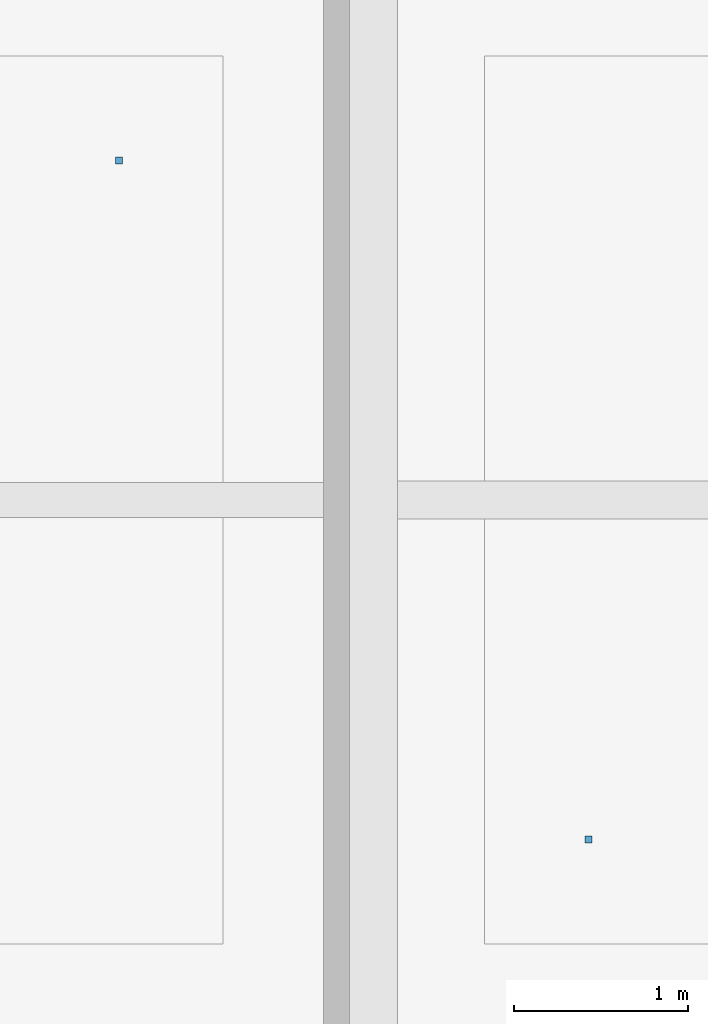
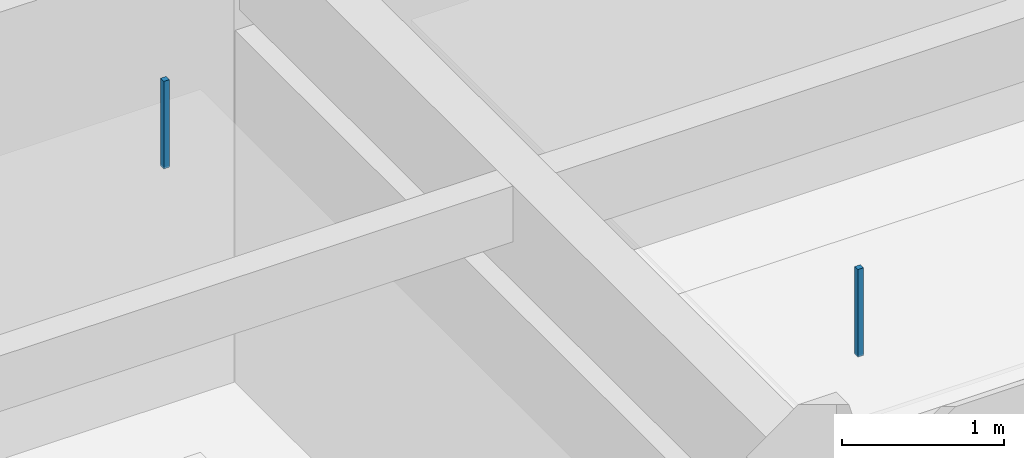
# One storey, part 57 of 85: 2 discrete accessories.
"""IFC4 building model written with IfcOpenShell, lengths in metres."""

from ifc_helpers import new_model, si_unit, direction, frame, origin, origin_2d, place, context, subcontext, project, spatial, rectangle, extrude, material, type_object, element, save


model = new_model("IFC4")

# Units and contexts
model_context = context("Model", 3, precision=1e-05, world=origin(), true_north=direction((0.0, 1.0)))
body_context = subcontext(model_context, "Body", "Model", "MODEL_VIEW")
ifc_project = project(units=[si_unit("LENGTHUNIT", "METRE"), si_unit("AREAUNIT", "SQUARE_METRE"), si_unit("VOLUMEUNIT", "CUBIC_METRE"), si_unit("PLANEANGLEUNIT", "RADIAN"), si_unit("MASSUNIT", "GRAM", prefix="KILO")], contexts=[model_context])

# Site, building, storey
site_placement = place(None, origin())
site = spatial("IfcSite", under=ifc_project, at=site_placement, CompositionType="ELEMENT")
building_placement = place(site_placement, origin())
building = spatial("IfcBuilding", under=site, at=building_placement, Name="Alvorim Cloister Faculty of Sciences", CompositionType="ELEMENT")
storey_placement = place(building_placement, frame((0.0, 0.0, 8.550048828125)))
storey = spatial("IfcBuildingStorey", under=building, at=storey_placement, Name="L02", CompositionType="ELEMENT", Elevation=8.550048828125)

# Discrete accessories
ifc_material = material(Name="Galvanised Painted Steel", Category="steel")
discrete_accessory_type = type_object("IfcDiscreteAccessoryType", Name="ACC-CEIL-ROD", PredefinedType="BRACKET", material=ifc_material)
for number, where, z_axis, x_axis, name in (
    (1, (27.35009765625, 5.550048828125, 2.75), (0.0, 0.0, 1.0), (1.0, 0.0, 0.0), "Ceiling Suspension Bracket ACC-ROD-016"),
    (2, (30.050048828125, 1.64990234375, 2.75), (0.0, 0.0, 1.0), (1.0, 0.0, 0.0), "Ceiling Suspension Bracket ACC-ROD-017"),
):
    element("IfcDiscreteAccessory", number, at=place(storey_placement, frame(where, z_axis=z_axis, x_axis=x_axis)), inside=storey, type_object=discrete_accessory_type, Name=name, PredefinedType="BRACKET", context=body_context, shape_type="SweptSolid", body=[
        extrude(rectangle(XDim=0.0400390625, YDim=0.0400390625, at=origin_2d()), origin(), (0.0, 0.0, 1.0), 0.659912109375),
    ])

save(model, "model.ifc")
